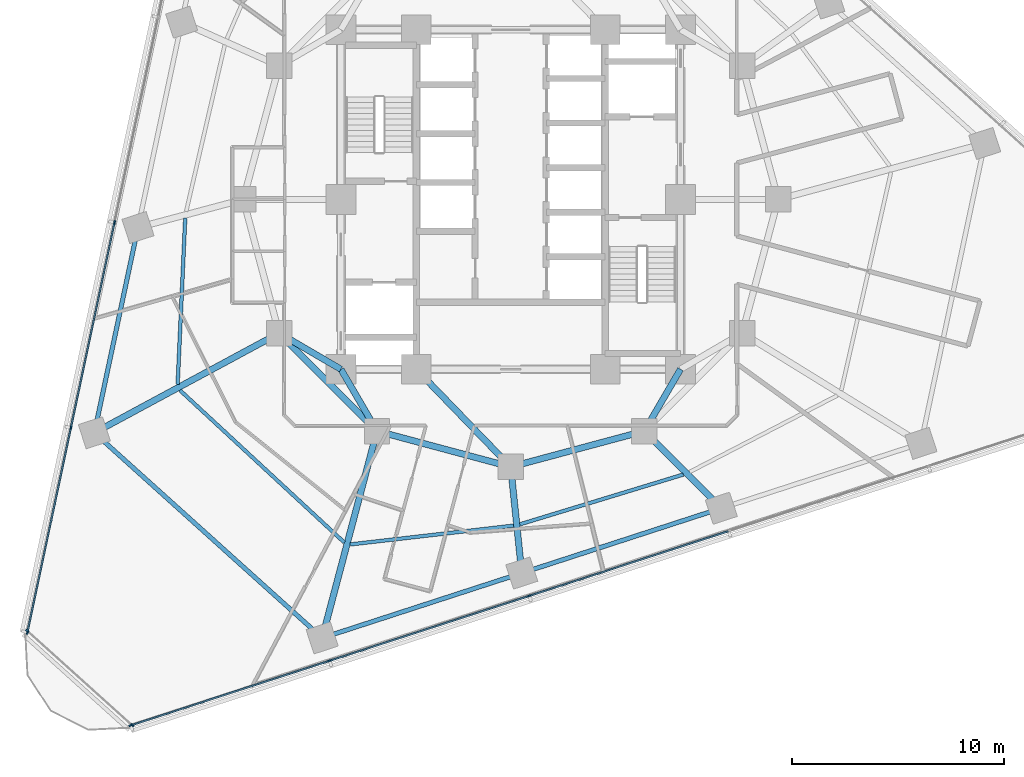
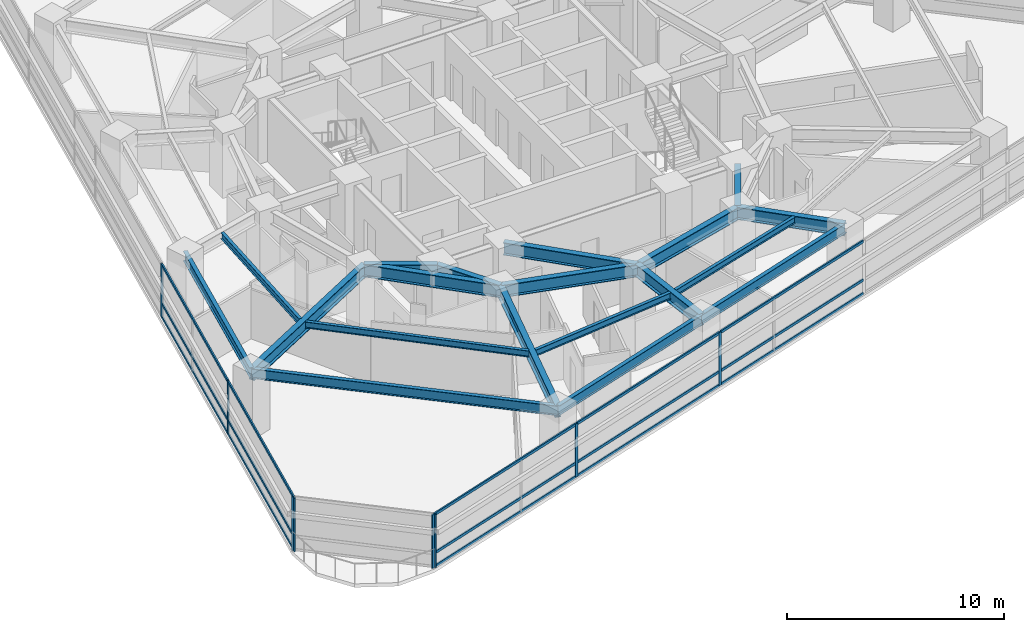
# One storey, part 2 of 13: 23 members, 19 beams, 3 elements without a shape of their own.
"""IFC4 building model written with IfcOpenShell, lengths in metres."""

from ifc_helpers import new_model, si_unit, direction, frame, origin, origin_2d, place, context, subcontext, project, spatial, rectangle, i_section, extrude, material, layer, layer_set, material_profile, profile_set, type_object, element, aggregate, save


model = new_model("IFC4")

# Units and contexts
model_context = context("Model", 3, precision=1e-05, world=origin(), true_north=direction((0.0, 1.0)))
body_context = subcontext(model_context, "Body", "Model", "MODEL_VIEW")
ifc_project = project(units=[si_unit("LENGTHUNIT", "METRE"), si_unit("AREAUNIT", "SQUARE_METRE"), si_unit("VOLUMEUNIT", "CUBIC_METRE"), si_unit("PLANEANGLEUNIT", "RADIAN"), si_unit("MASSUNIT", "GRAM", prefix="KILO")], contexts=[model_context])

# Site, building, storey
site_placement = place(None, origin())
site = spatial("IfcSite", under=ifc_project, at=site_placement, CompositionType="ELEMENT")
building_placement = place(site_placement, origin())
building = spatial("IfcBuilding", under=site, at=building_placement, Name="Terralouvre Media Tower", CompositionType="ELEMENT")
storey_placement = place(building_placement, frame((0.0, 0.0, 90.300048828125)))
storey = spatial("IfcBuildingStorey", under=building, at=storey_placement, Name="L22", CompositionType="ELEMENT", Elevation=90.300048828125)

# Beams
ifc_material_1 = material(Name="Structural steel S355J2", Category="steel")
ifc_material_profile_1 = material_profile(ifc_material_1, i_section(OverallWidth=0.169921875, OverallDepth=0.360107421875, WebThickness=0.008056640625, FlangeThickness=0.0126953125, at=origin_2d()), Name="IPE 360")
ifc_profile_set_1 = profile_set([ifc_material_profile_1], Name="Structural steel S355J2")
beam_type_1 = type_object("IfcBeamType", Name="Composite Floor Joist J-IPE360 (IPE 360)", PredefinedType="JOIST", material=ifc_profile_set_1)
beam_1_placement = place(storey_placement, frame((-15.33544921875, -0.882080078125, 3.320068359375), z_axis=(-0.045464200768, -0.998965968614, 0.0), x_axis=(0.998965968614, -0.045464200768, 0.0)))
element("IfcBeam", 1, at=beam_1_placement, inside=storey, type_object=beam_type_1, Name="L22 Framing Beam JT-L22-01", PredefinedType="JOIST", context=body_context, shape_type="SweptSolid", body=[
    extrude(i_section(OverallWidth=0.169921875, OverallDepth=0.360107421875, WebThickness=0.008056640625, FlangeThickness=0.0126953125, at=origin_2d()), origin(), (0.0, 0.0, 1.0), 7.834716796875),
])
beam_2_placement = place(storey_placement, frame((-15.584716796875, -8.988037109375, 3.320068359375), z_axis=(0.733637623699, -0.679540901707, 0.0), x_axis=(0.679540901707, 0.733637623699, 0.0)))
element("IfcBeam", 2, at=beam_2_placement, inside=storey, type_object=beam_type_1, Name="L22 Framing Beam JT-L22-02", PredefinedType="JOIST", context=body_context, shape_type="SweptSolid", body=[
    extrude(i_section(OverallWidth=0.169921875, OverallDepth=0.360107421875, WebThickness=0.008056640625, FlangeThickness=0.0126953125, at=origin_2d()), origin(), (0.0, 0.0, 1.0), 10.551513671875),
])
beam_3_placement = place(storey_placement, frame((-7.5625, -16.254150390625, 3.320068359375), z_axis=(0.993452319542, 0.114247489235, 0.0), x_axis=(-0.114247489235, 0.993452319542, 0.0)))
element("IfcBeam", 3, at=beam_3_placement, inside=storey, type_object=beam_type_1, Name="L22 Framing Beam JT-L22-03", PredefinedType="JOIST", context=body_context, shape_type="SweptSolid", body=[
    extrude(i_section(OverallWidth=0.169921875, OverallDepth=0.360107421875, WebThickness=0.008056640625, FlangeThickness=0.0126953125, at=origin_2d()), origin(), (0.0, 0.0, 1.0), 7.750732421875),
])
beam_4_placement = place(storey_placement, frame((0.430908203125, -15.307373046875, 3.320068359375), z_axis=(0.95657137257, 0.29149821471, 0.0), x_axis=(-0.29149821471, 0.95657137257, 0.0)))
element("IfcBeam", 4, at=beam_4_placement, inside=storey, type_object=beam_type_1, Name="L22 Framing Beam JT-L22-04", PredefinedType="JOIST", context=body_context, shape_type="SweptSolid", body=[
    extrude(i_section(OverallWidth=0.169921875, OverallDepth=0.360107421875, WebThickness=0.008056640625, FlangeThickness=0.0126953125, at=origin_2d()), origin(), (0.0, 0.0, 1.0), 8.052001953125),
])

# Curtain wall, members
ifc_material_2 = material(Name="Low-iron laminated double glazing with solar-control coating", Category="glass")
ifc_layer_1 = layer(ifc_material_2, 0.1650390625, Name="Lower Media Tower Unitised Curtain Wall CW-02")
ifc_layer_set_1 = layer_set([ifc_layer_1], Name="Low-iron laminated double glazing with solar-control coating")
curtain_wall_type_1 = type_object("IfcCurtainWallType", Name="Lower Media Tower Unitised Curtain Wall CW-02", PredefinedType="NOTDEFINED", material=ifc_layer_set_1)
curtain_wall_1_placement = place(storey_placement, origin())
curtain_wall_1 = element("IfcCurtainWall", 5, at=curtain_wall_1_placement, inside=storey, type_object=curtain_wall_type_1, Name="L22 Facade Curtain Wall F0", PredefinedType="NOTDEFINED")
ifc_material_3 = material(Name="Anodised extruded aluminium 6063-T6", Category="aluminium")
ifc_material_profile_2 = material_profile(ifc_material_3, rectangle(XDim=0.074951171875, YDim=0.14990234375, at=origin_2d()), Name="ALU 75x150")
ifc_profile_set_2 = profile_set([ifc_material_profile_2], Name="Anodised extruded aluminium 6063-T6")
member_type_1 = type_object("IfcMemberType", Name="Curtain-Wall Horizontal Transom TR-150", PredefinedType="USERDEFINED", material=ifc_profile_set_2)
member_1_placement = place(storey_placement, frame((-17.866455078125, -24.765380859375, 0.037353515625), z_axis=(0.951048750541, 0.309040893886, 0.0), x_axis=(-0.309040893886, 0.951048750541, 0.0)))
member_1 = element("IfcMember", 6, at=member_1_placement, type_object=member_type_1, Name="CW-02 transom 1.1", ObjectType="TRANSOM", PredefinedType="USERDEFINED", context=body_context, shape_type="SweptSolid", body=[
    extrude(rectangle(XDim=0.074951171875, YDim=0.14990234375, at=origin_2d()), origin(), (0.0, 0.0, 1.0), 9.775390625),
])
member_2_placement = place(storey_placement, frame((-17.866455078125, -24.765380859375, 0.800048828125), z_axis=(0.951048750541, 0.309040893886, 0.0), x_axis=(-0.309040893886, 0.951048750541, 0.0)))
member_2 = element("IfcMember", 7, at=member_2_placement, type_object=member_type_1, Name="CW-02 transom 1.2", ObjectType="TRANSOM", PredefinedType="USERDEFINED", context=body_context, shape_type="SweptSolid", body=[
    extrude(rectangle(XDim=0.074951171875, YDim=0.14990234375, at=origin_2d()), origin(), (0.0, 0.0, 1.0), 9.775390625),
])
member_3_placement = place(storey_placement, frame((-17.866455078125, -24.765380859375, 2.96240234375), z_axis=(0.951048750541, 0.309040893886, 0.0), x_axis=(-0.309040893886, 0.951048750541, 0.0)))
member_3 = element("IfcMember", 8, at=member_3_placement, type_object=member_type_1, Name="CW-02 transom 1.3", ObjectType="TRANSOM", PredefinedType="USERDEFINED", context=body_context, shape_type="SweptSolid", body=[
    extrude(rectangle(XDim=0.074951171875, YDim=0.14990234375, at=origin_2d()), origin(), (0.0, 0.0, 1.0), 9.775390625),
])
member_4_placement = place(storey_placement, frame((-8.498291015625, -21.72119140625, 0.037353515625), z_axis=(0.951061672682, 0.309001124198, 0.0), x_axis=(-0.309001124198, 0.951061672682, 0.0)))
member_4 = element("IfcMember", 9, at=member_4_placement, type_object=member_type_1, Name="CW-02 transom 2.1", ObjectType="TRANSOM", PredefinedType="USERDEFINED", context=body_context, shape_type="SweptSolid", body=[
    extrude(rectangle(XDim=0.074951171875, YDim=0.14990234375, at=origin_2d()), origin(), (0.0, 0.0, 1.0), 9.81298828125),
])
member_5_placement = place(storey_placement, frame((-8.498291015625, -21.72119140625, 0.800048828125), z_axis=(0.951061672682, 0.309001124198, 0.0), x_axis=(-0.309001124198, 0.951061672682, 0.0)))
member_5 = element("IfcMember", 10, at=member_5_placement, type_object=member_type_1, Name="CW-02 transom 2.2", ObjectType="TRANSOM", PredefinedType="USERDEFINED", context=body_context, shape_type="SweptSolid", body=[
    extrude(rectangle(XDim=0.074951171875, YDim=0.14990234375, at=origin_2d()), origin(), (0.0, 0.0, 1.0), 9.81298828125),
])
member_6_placement = place(storey_placement, frame((-8.498291015625, -21.72119140625, 2.96240234375), z_axis=(0.951061672682, 0.309001124198, 0.0), x_axis=(-0.309001124198, 0.951061672682, 0.0)))
member_6 = element("IfcMember", 11, at=member_6_placement, type_object=member_type_1, Name="CW-02 transom 2.3", ObjectType="TRANSOM", PredefinedType="USERDEFINED", context=body_context, shape_type="SweptSolid", body=[
    extrude(rectangle(XDim=0.074951171875, YDim=0.14990234375, at=origin_2d()), origin(), (0.0, 0.0, 1.0), 9.81298828125),
])
member_7_placement = place(storey_placement, frame((0.90576171875, -18.665771484375, 0.037353515625), z_axis=(0.95105436096, 0.309023627736, 0.0), x_axis=(-0.309023627736, 0.95105436096, 0.0)))
member_7 = element("IfcMember", 12, at=member_7_placement, type_object=member_type_1, Name="CW-02 transom 3.1", ObjectType="TRANSOM", PredefinedType="USERDEFINED", context=body_context, shape_type="SweptSolid", body=[
    extrude(rectangle(XDim=0.074951171875, YDim=0.14990234375, at=origin_2d()), origin(), (0.0, 0.0, 1.0), 9.81298828125),
])
member_8_placement = place(storey_placement, frame((0.90576171875, -18.665771484375, 0.800048828125), z_axis=(0.95105436096, 0.309023627736, 0.0), x_axis=(-0.309023627736, 0.95105436096, 0.0)))
member_8 = element("IfcMember", 13, at=member_8_placement, type_object=member_type_1, Name="CW-02 transom 3.2", ObjectType="TRANSOM", PredefinedType="USERDEFINED", context=body_context, shape_type="SweptSolid", body=[
    extrude(rectangle(XDim=0.074951171875, YDim=0.14990234375, at=origin_2d()), origin(), (0.0, 0.0, 1.0), 9.81298828125),
])
member_9_placement = place(storey_placement, frame((0.90576171875, -18.665771484375, 2.96240234375), z_axis=(0.95105436096, 0.309023627736, 0.0), x_axis=(-0.309023627736, 0.95105436096, 0.0)))
member_9 = element("IfcMember", 14, at=member_9_placement, type_object=member_type_1, Name="CW-02 transom 3.3", ObjectType="TRANSOM", PredefinedType="USERDEFINED", context=body_context, shape_type="SweptSolid", body=[
    extrude(rectangle(XDim=0.074951171875, YDim=0.14990234375, at=origin_2d()), origin(), (0.0, 0.0, 1.0), 9.81298828125),
])

curtain_wall_2_placement = place(storey_placement, origin())
curtain_wall_2 = element("IfcCurtainWall", 15, at=curtain_wall_2_placement, inside=storey, type_object=curtain_wall_type_1, Name="L22 Facade Curtain Wall F2", PredefinedType="NOTDEFINED")
member_10_placement = place(storey_placement, frame((-18.673828125, -1.12353515625, 0.037353515625), z_axis=(-0.207914695346, -0.978146962097, 0.0), x_axis=(0.978146962097, -0.207914695346, 0.0)))
member_10 = element("IfcMember", 16, at=member_10_placement, type_object=member_type_1, Name="CW-02 transom 4.1", ObjectType="TRANSOM", PredefinedType="USERDEFINED", context=body_context, shape_type="SweptSolid", body=[
    extrude(rectangle(XDim=0.074951171875, YDim=0.14990234375, at=origin_2d()), origin(), (0.0, 0.0, 1.0), 9.81298828125),
])
member_11_placement = place(storey_placement, frame((-18.673828125, -1.12353515625, 0.800048828125), z_axis=(-0.207914695346, -0.978146962097, 0.0), x_axis=(0.978146962097, -0.207914695346, 0.0)))
member_11 = element("IfcMember", 17, at=member_11_placement, type_object=member_type_1, Name="CW-02 transom 4.2", ObjectType="TRANSOM", PredefinedType="USERDEFINED", context=body_context, shape_type="SweptSolid", body=[
    extrude(rectangle(XDim=0.074951171875, YDim=0.14990234375, at=origin_2d()), origin(), (0.0, 0.0, 1.0), 9.81298828125),
])
member_12_placement = place(storey_placement, frame((-18.673828125, -1.12353515625, 2.96240234375), z_axis=(-0.207914695346, -0.978146962097, 0.0), x_axis=(0.978146962097, -0.207914695346, 0.0)))
member_12 = element("IfcMember", 18, at=member_12_placement, type_object=member_type_1, Name="CW-02 transom 4.3", ObjectType="TRANSOM", PredefinedType="USERDEFINED", context=body_context, shape_type="SweptSolid", body=[
    extrude(rectangle(XDim=0.074951171875, YDim=0.14990234375, at=origin_2d()), origin(), (0.0, 0.0, 1.0), 9.81298828125),
])
member_13_placement = place(storey_placement, frame((-20.7294921875, -10.79541015625, 0.037353515625), z_axis=(-0.207911922732, -0.978147551439, 0.0), x_axis=(0.978147551439, -0.207911922732, 0.0)))
member_13 = element("IfcMember", 19, at=member_13_placement, type_object=member_type_1, Name="CW-02 transom 5.1", ObjectType="TRANSOM", PredefinedType="USERDEFINED", context=body_context, shape_type="SweptSolid", body=[
    extrude(rectangle(XDim=0.074951171875, YDim=0.14990234375, at=origin_2d()), origin(), (0.0, 0.0, 1.0), 9.775634765625),
])
member_14_placement = place(storey_placement, frame((-20.7294921875, -10.79541015625, 0.800048828125), z_axis=(-0.207911922732, -0.978147551439, 0.0), x_axis=(0.978147551439, -0.207911922732, 0.0)))
member_14 = element("IfcMember", 20, at=member_14_placement, type_object=member_type_1, Name="CW-02 transom 5.2", ObjectType="TRANSOM", PredefinedType="USERDEFINED", context=body_context, shape_type="SweptSolid", body=[
    extrude(rectangle(XDim=0.074951171875, YDim=0.14990234375, at=origin_2d()), origin(), (0.0, 0.0, 1.0), 9.775634765625),
])
member_15_placement = place(storey_placement, frame((-20.7294921875, -10.79541015625, 2.96240234375), z_axis=(-0.207911922732, -0.978147551439, 0.0), x_axis=(0.978147551439, -0.207911922732, 0.0)))
member_15 = element("IfcMember", 21, at=member_15_placement, type_object=member_type_1, Name="CW-02 transom 5.3", ObjectType="TRANSOM", PredefinedType="USERDEFINED", context=body_context, shape_type="SweptSolid", body=[
    extrude(rectangle(XDim=0.074951171875, YDim=0.14990234375, at=origin_2d()), origin(), (0.0, 0.0, 1.0), 9.775634765625),
])

# Member
ifc_material_4 = material(Name="Anodised extruded aluminium 6063-T6", Category="aluminium")
ifc_material_profile_3 = material_profile(ifc_material_4, rectangle(XDim=0.074951171875, YDim=0.179931640625, at=origin_2d()), Name="ALU 75x180")
ifc_profile_set_3 = profile_set([ifc_material_profile_3], Name="Anodised extruded aluminium 6063-T6")
member_type_2 = type_object("IfcMemberType", Name="Curtain-Wall Vertical Mullion ML-180", PredefinedType="MULLION", material=ifc_profile_set_3)
member_16_placement = place(storey_placement, frame((-17.90234375, -24.77685546875, 0.0), z_axis=(0.0, 0.0, 1.0), x_axis=(-0.309017015439, 0.951056509451, 0.0)))
member_16 = element("IfcMember", 22, at=member_16_placement, type_object=member_type_2, Name="CW-02 mullion 1", PredefinedType="MULLION", context=body_context, shape_type="SweptSolid", body=[
    extrude(rectangle(XDim=0.074951171875, YDim=0.179931640625, at=origin_2d()), origin(), (0.0, 0.0, 1.0), 3.0),
])

member_17_placement = place(storey_placement, frame((-8.533935546875, -21.73291015625, 0.0), z_axis=(0.0, 0.0, 1.0), x_axis=(-0.309017015439, 0.951056509451, 0.0)))
member_17 = element("IfcMember", 23, at=member_17_placement, type_object=member_type_2, Name="CW-02 mullion 2", PredefinedType="MULLION", context=body_context, shape_type="SweptSolid", body=[
    extrude(rectangle(XDim=0.074951171875, YDim=0.179931640625, at=origin_2d()), origin(), (0.0, 0.0, 1.0), 3.0),
])

member_18_placement = place(storey_placement, frame((0.8701171875, -18.67724609375, 0.0), z_axis=(0.0, 0.0, 1.0), x_axis=(-0.309017015439, 0.951056509451, 0.0)))
member_18 = element("IfcMember", 24, at=member_18_placement, type_object=member_type_2, Name="CW-02 mullion 3", PredefinedType="MULLION", context=body_context, shape_type="SweptSolid", body=[
    extrude(rectangle(XDim=0.074951171875, YDim=0.179931640625, at=origin_2d()), origin(), (0.0, 0.0, 1.0), 3.0),
])

aggregate(curtain_wall_1, [member_16, member_17, member_18, member_1, member_2, member_3, member_4, member_5, member_6, member_7, member_8, member_9])

member_19_placement = place(storey_placement, frame((-18.666015625, -1.0869140625, 0.0), z_axis=(0.0, 0.0, 1.0), x_axis=(0.978147610709, -0.207911643887, 0.0)))
member_19 = element("IfcMember", 25, at=member_19_placement, type_object=member_type_2, Name="CW-02 mullion 4", PredefinedType="MULLION", context=body_context, shape_type="SweptSolid", body=[
    extrude(rectangle(XDim=0.074951171875, YDim=0.179931640625, at=origin_2d()), origin(), (0.0, 0.0, 1.0), 3.0),
])

member_20_placement = place(storey_placement, frame((-20.7216796875, -10.7587890625, 0.0), z_axis=(0.0, 0.0, 1.0), x_axis=(0.978147610709, -0.207911643887, 0.0)))
member_20 = element("IfcMember", 26, at=member_20_placement, type_object=member_type_2, Name="CW-02 mullion 5", PredefinedType="MULLION", context=body_context, shape_type="SweptSolid", body=[
    extrude(rectangle(XDim=0.074951171875, YDim=0.179931640625, at=origin_2d()), origin(), (0.0, 0.0, 1.0), 3.0),
])

member_21_placement = place(storey_placement, frame((-22.769775390625, -20.39404296875, 0.0), z_axis=(0.0, 0.0, 1.0), x_axis=(0.978147610709, -0.207911643887, 0.0)))
member_21 = element("IfcMember", 27, at=member_21_placement, type_object=member_type_2, Name="CW-02 mullion 6", PredefinedType="MULLION", context=body_context, shape_type="SweptSolid", body=[
    extrude(rectangle(XDim=0.074951171875, YDim=0.179931640625, at=origin_2d()), origin(), (0.0, 0.0, 1.0), 3.0),
])

aggregate(curtain_wall_2, [member_19, member_20, member_21, member_10, member_11, member_12, member_13, member_14, member_15])

# Curtain wall, members
ifc_material_5 = material(Name="Low-iron laminated double glazing with solar-control coating", Category="glass")
ifc_layer_2 = layer(ifc_material_5, 0.1650390625, Name="Rounded Wind-Corner Curved Glazing CW-04")
ifc_layer_set_2 = layer_set([ifc_layer_2], Name="Low-iron laminated double glazing with solar-control coating")
curtain_wall_type_2 = type_object("IfcCurtainWallType", Name="Rounded Wind-Corner Curved Glazing CW-04", PredefinedType="NOTDEFINED", material=ifc_layer_set_2)
curtain_wall_3_placement = place(storey_placement, origin())
curtain_wall_3 = element("IfcCurtainWall", 28, at=curtain_wall_3_placement, inside=storey, type_object=curtain_wall_type_2, Name="L22 Rounded Wind-Corner Curtain Wall C0", PredefinedType="NOTDEFINED")
member_22_placement = place(storey_placement, frame((-22.7734375, -20.326904296875, 0.0), z_axis=(0.0, 0.0, 1.0), x_axis=(0.669130780732, 0.743144668471, 0.0)))
member_22 = element("IfcMember", 29, at=member_22_placement, type_object=member_type_2, Name="CW-04 mullion 1", PredefinedType="MULLION", context=body_context, shape_type="SweptSolid", body=[
    extrude(rectangle(XDim=0.074951171875, YDim=0.179931640625, at=origin_2d()), origin(), (0.0, 0.0, 1.0), 3.0),
])
member_23_placement = place(storey_placement, frame((-17.8349609375, -24.7734375, 0.0), z_axis=(0.0, 0.0, 1.0), x_axis=(0.669130780732, 0.743144668471, 0.0)))
member_23 = element("IfcMember", 30, at=member_23_placement, type_object=member_type_2, Name="CW-04 mullion 2", PredefinedType="MULLION", context=body_context, shape_type="SweptSolid", body=[
    extrude(rectangle(XDim=0.074951171875, YDim=0.179931640625, at=origin_2d()), origin(), (0.0, 0.0, 1.0), 3.0),
])
aggregate(curtain_wall_3, [member_22, member_23])

# Beams
ifc_material_6 = material(Name="Structural steel S355J2", Category="steel")
ifc_material_profile_4 = material_profile(ifc_material_6, i_section(OverallWidth=0.2099609375, OverallDepth=0.550048828125, WebThickness=0.010986328125, FlangeThickness=0.01708984375, at=origin_2d()), Name="IPE 550")
ifc_profile_set_4 = profile_set([ifc_material_profile_4], Name="Structural steel S355J2")
beam_type_2 = type_object("IfcBeamType", Name="Perimeter Spandrel Beam SPB-550 (IPE 550)", PredefinedType="SPANDREL", material=ifc_profile_set_4)
beam_5_placement = place(storey_placement, frame((-17.560791015625, -1.32177734375, 3.224853515625), z_axis=(-0.207896554112, -0.978150818017, 0.0), x_axis=(0.978150818017, -0.207896554112, 0.0)))
element("IfcBeam", 31, at=beam_5_placement, inside=storey, type_object=beam_type_2, Name="L22 Framing Beam BM-L22-PR01", PredefinedType="SPANDREL", context=body_context, shape_type="SweptSolid", body=[
    extrude(i_section(OverallWidth=0.2099609375, OverallDepth=0.550048828125, WebThickness=0.010986328125, FlangeThickness=0.01708984375, at=origin_2d()), origin(), (0.0, 0.0, 1.0), 9.887939453125),
])
beam_6_placement = place(storey_placement, frame((-19.616455078125, -10.99365234375, 3.224853515625), z_axis=(0.743139474617, -0.669136549044, 0.0), x_axis=(0.669136549044, 0.743139474617, 0.0)))
element("IfcBeam", 32, at=beam_6_placement, inside=storey, type_object=beam_type_2, Name="L22 Framing Beam BM-L22-PR02", PredefinedType="SPANDREL", context=body_context, shape_type="SweptSolid", body=[
    extrude(i_section(OverallWidth=0.2099609375, OverallDepth=0.550048828125, WebThickness=0.010986328125, FlangeThickness=0.01708984375, at=origin_2d()), origin(), (0.0, 0.0, 1.0), 14.443359375),
])
for number, where, z_axis, x_axis, name in (
    (33, (-8.883056640625, -20.658203125, 3.224853515625), (0.95105348149, 0.309026334389, 0.0), (-0.309026334389, 0.95105348149, 0.0), "L22 Framing Beam BM-L22-PR03"),
    (34, (0.52099609375, -17.6025390625, 3.224853515625), (0.951060737836, 0.309004001506, 0.0), (-0.309004001506, 0.951060737836, 0.0), "L22 Framing Beam BM-L22-PR04"),
):
    element("IfcBeam", number, at=place(storey_placement, frame(where, z_axis=z_axis, x_axis=x_axis)), inside=storey, type_object=beam_type_2, Name=name, PredefinedType="SPANDREL", context=body_context, shape_type="SweptSolid", body=[
        extrude(i_section(OverallWidth=0.2099609375, OverallDepth=0.550048828125, WebThickness=0.010986328125, FlangeThickness=0.01708984375, at=origin_2d()), origin(), (0.0, 0.0, 1.0), 9.887939453125),
    ])
ifc_material_7 = material(Name="Structural steel S460M", Category="steel")
ifc_material_profile_5 = material_profile(ifc_material_7, i_section(OverallWidth=0.300048828125, OverallDepth=0.699951171875, WebThickness=0.01708984375, FlangeThickness=0.031982421875, at=origin_2d()), Name="HEB 700")
ifc_profile_set_5 = profile_set([ifc_material_profile_5], Name="Structural steel S460M")
beam_type_3 = type_object("IfcBeamType", Name="Primary Floor Girder B-HEB700 (HEB 700)", PredefinedType="BEAM", material=ifc_profile_set_5)
beam_7_placement = place(storey_placement, frame((-10.911865234375, -6.300048828125, 3.14990234375), z_axis=(0.707106781187, -0.707106781187, 0.0), x_axis=(0.707106781187, 0.707106781187, 0.0)))
element("IfcBeam", 35, at=beam_7_placement, inside=storey, type_object=beam_type_3, Name="L22 Framing Beam BM-L22-MR01", PredefinedType="BEAM", context=body_context, shape_type="SweptSolid", body=[
    extrude(i_section(OverallWidth=0.300048828125, OverallDepth=0.699951171875, WebThickness=0.01708984375, FlangeThickness=0.031982421875, at=origin_2d()), origin(), (0.0, 0.0, 1.0), 6.52197265625),
])
for number, where, z_axis, x_axis, name in (
    (36, (-6.300048828125, -10.911865234375, 3.14990234375), (0.965920481897, -0.258838989821, 0.0), (0.258838989821, 0.965920481897, 0.0), "L22 Framing Beam BM-L22-MR02"),
    (37, (0.0, -12.60009765625, 3.14990234375), (0.965920481897, 0.258838989821, 0.0), (-0.258838989821, 0.965920481897, 0.0), "L22 Framing Beam BM-L22-MR03"),
):
    element("IfcBeam", number, at=place(storey_placement, frame(where, z_axis=z_axis, x_axis=x_axis)), inside=storey, type_object=beam_type_3, Name=name, PredefinedType="BEAM", context=body_context, shape_type="SweptSolid", body=[
        extrude(i_section(OverallWidth=0.300048828125, OverallDepth=0.699951171875, WebThickness=0.01708984375, FlangeThickness=0.031982421875, at=origin_2d()), origin(), (0.0, 0.0, 1.0), 6.522216796875),
    ])
for number, where, z_axis, x_axis, name in (
    (38, (-8.0, -8.0, 3.14990234375), (-0.863602894532, 0.504172629717, 0.0), (-0.504172629717, -0.863602894532, 0.0), "L22 Framing Beam BM-L22-CM01"),
    (39, (-8.0, -8.0, 3.14990234375), (0.504172629717, -0.863602894532, 0.0), (0.863602894532, 0.504172629717, 0.0), "L22 Framing Beam BM-L22-CM02"),
):
    element("IfcBeam", number, at=place(storey_placement, frame(where, z_axis=z_axis, x_axis=x_axis)), inside=storey, type_object=beam_type_3, Name=name, PredefinedType="BEAM", context=body_context, shape_type="SweptSolid", body=[
        extrude(i_section(OverallWidth=0.300048828125, OverallDepth=0.699951171875, WebThickness=0.01708984375, FlangeThickness=0.031982421875, at=origin_2d()), origin(), (0.0, 0.0, 1.0), 3.371826171875),
    ])
beam_8_placement = place(storey_placement, frame((-4.449951171875, -8.0, 3.14990234375), z_axis=(0.695279715726, -0.718739255155, 0.0), x_axis=(0.718739255155, 0.695279715726, 0.0)))
element("IfcBeam", 40, at=beam_8_placement, inside=storey, type_object=beam_type_3, Name="L22 Framing Beam BM-L22-CM03", PredefinedType="BEAM", context=body_context, shape_type="SweptSolid", body=[
    extrude(i_section(OverallWidth=0.300048828125, OverallDepth=0.699951171875, WebThickness=0.01708984375, FlangeThickness=0.031982421875, at=origin_2d()), origin(), (0.0, 0.0, 1.0), 6.400146484375),
])
beam_9_placement = place(storey_placement, frame((8.0, -8.0, 3.14990234375), z_axis=(-0.504172629717, -0.863602894532, 0.0), x_axis=(0.863602894532, -0.504172629717, 0.0)))
element("IfcBeam", 41, at=beam_9_placement, inside=storey, type_object=beam_type_3, Name="L22 Framing Beam BM-L22-CM04", PredefinedType="BEAM", context=body_context, shape_type="SweptSolid", body=[
    extrude(i_section(OverallWidth=0.300048828125, OverallDepth=0.699951171875, WebThickness=0.01708984375, FlangeThickness=0.031982421875, at=origin_2d()), origin(), (0.0, 0.0, 1.0), 3.371826171875),
])
beam_10_placement = place(storey_placement, frame((-10.911865234375, -6.300048828125, 3.14990234375), z_axis=(-0.880195882447, -0.47461058619, 0.0), x_axis=(0.47461058619, -0.880195882447, 0.0)))
element("IfcBeam", 42, at=beam_10_placement, inside=storey, type_object=beam_type_3, Name="L22 Framing Beam BM-L22-RD02", PredefinedType="BEAM", context=body_context, shape_type="SweptSolid", body=[
    extrude(i_section(OverallWidth=0.300048828125, OverallDepth=0.699951171875, WebThickness=0.01708984375, FlangeThickness=0.031982421875, at=origin_2d()), origin(), (0.0, 0.0, 1.0), 9.889404296875),
])
beam_11_placement = place(storey_placement, frame((-6.300048828125, -10.911865234375, 3.14990234375), z_axis=(-0.25617939255, -0.966629256144, 0.0), x_axis=(0.966629256144, -0.25617939255, 0.0)))
element("IfcBeam", 43, at=beam_11_placement, inside=storey, type_object=beam_type_3, Name="L22 Framing Beam BM-L22-RD03", PredefinedType="BEAM", context=body_context, shape_type="SweptSolid", body=[
    extrude(i_section(OverallWidth=0.300048828125, OverallDepth=0.699951171875, WebThickness=0.01708984375, FlangeThickness=0.031982421875, at=origin_2d()), origin(), (0.0, 0.0, 1.0), 10.082763671875),
])
beam_12_placement = place(storey_placement, frame((0.0, -12.60009765625, 3.14990234375), z_axis=(0.103588076486, -0.994620284536, 0.0), x_axis=(0.994620284536, 0.103588076486, 0.0)))
element("IfcBeam", 44, at=beam_12_placement, inside=storey, type_object=beam_type_3, Name="L22 Framing Beam BM-L22-RD04", PredefinedType="BEAM", context=body_context, shape_type="SweptSolid", body=[
    extrude(i_section(OverallWidth=0.300048828125, OverallDepth=0.699951171875, WebThickness=0.01708984375, FlangeThickness=0.031982421875, at=origin_2d()), origin(), (0.0, 0.0, 1.0), 5.029541015625),
])
beam_13_placement = place(storey_placement, frame((6.300048828125, -10.911865234375, 3.14990234375), z_axis=(0.706107405732, -0.708104746185, 0.0), x_axis=(0.708104746185, 0.706107405732, 0.0)))
element("IfcBeam", 45, at=beam_13_placement, inside=storey, type_object=beam_type_3, Name="L22 Framing Beam BM-L22-RD05", PredefinedType="BEAM", context=body_context, shape_type="SweptSolid", body=[
    extrude(i_section(OverallWidth=0.300048828125, OverallDepth=0.699951171875, WebThickness=0.01708984375, FlangeThickness=0.031982421875, at=origin_2d()), origin(), (0.0, 0.0, 1.0), 5.1337890625),
])

save(model, "model.ifc")
